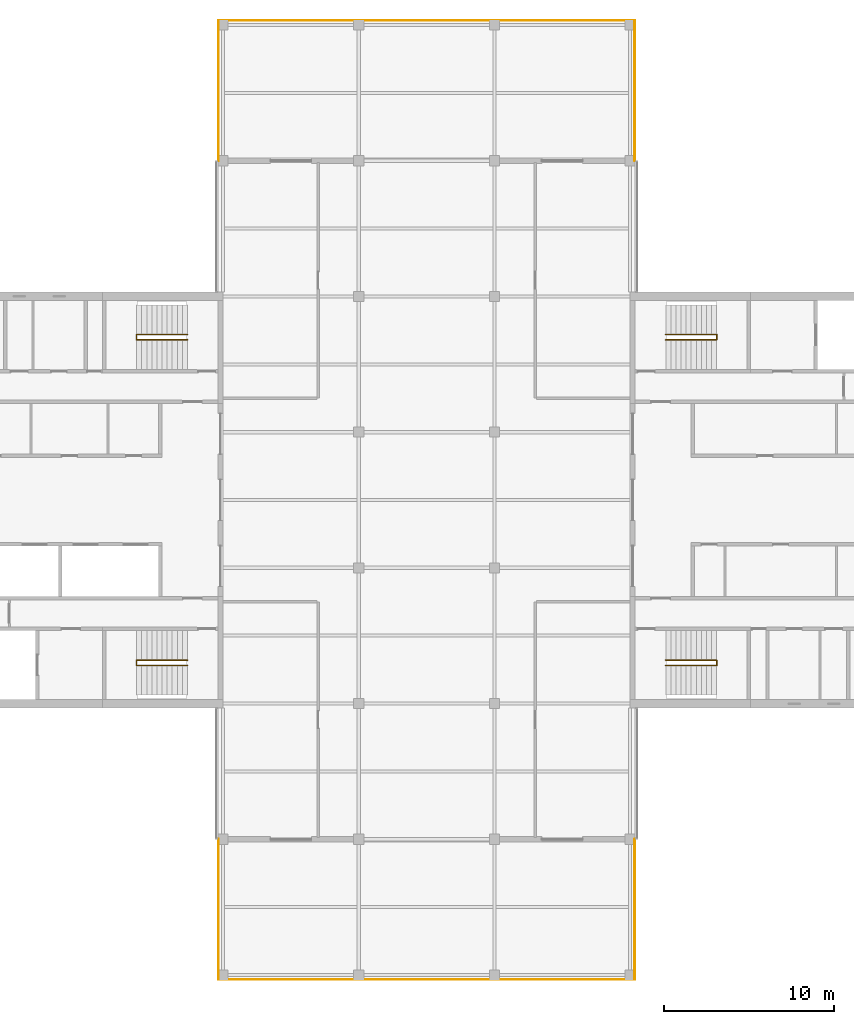
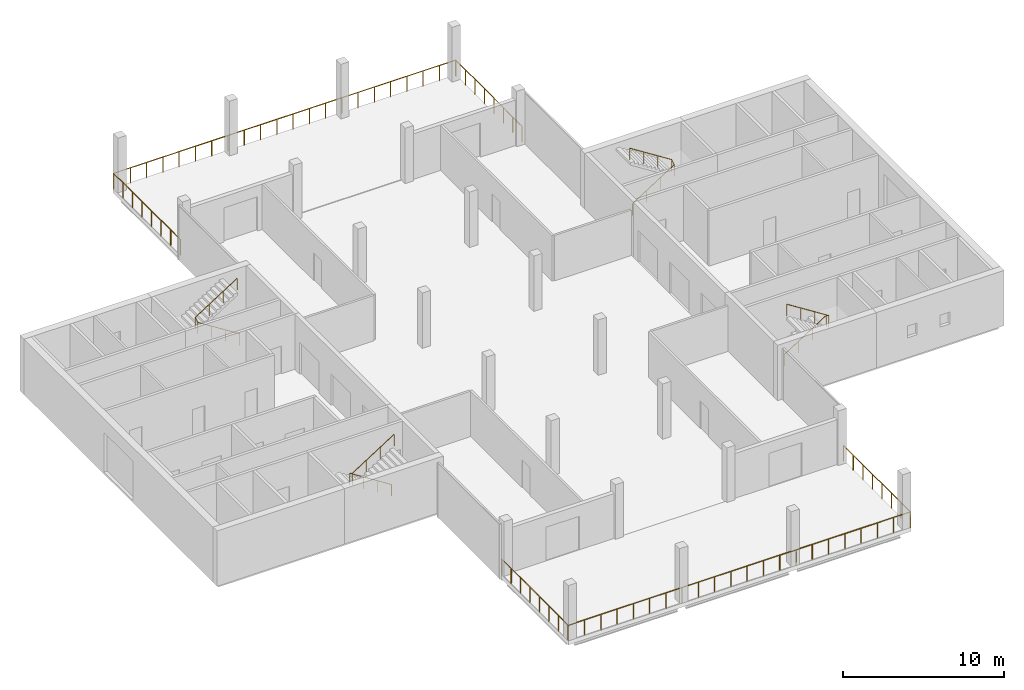
# One storey, part 12 of 12: 10 railings.
"""IFC4 building model written with IfcOpenShell, lengths in metres."""

from ifc_helpers import new_model, si_unit, direction, frame, origin, origin_2d, place, context, subcontext, project, spatial, circle, extrude, material, type_object, element, save


model = new_model("IFC4")

# Units and contexts
model_context = context("Model", 3, precision=1e-05, world=origin(), true_north=direction((0.0, 1.0)))
body_context = subcontext(model_context, "Body", "Model", "MODEL_VIEW")
ifc_project = project(units=[si_unit("LENGTHUNIT", "METRE"), si_unit("AREAUNIT", "SQUARE_METRE"), si_unit("VOLUMEUNIT", "CUBIC_METRE"), si_unit("PLANEANGLEUNIT", "RADIAN"), si_unit("MASSUNIT", "GRAM", prefix="KILO")], contexts=[model_context])

# Site, building, storey
site_placement = place(None, origin())
site = spatial("IfcSite", under=ifc_project, at=site_placement, CompositionType="ELEMENT")
building_placement = place(site_placement, origin())
building = spatial("IfcBuilding", under=site, at=building_placement, Name="Crosswind Convention Tower", CompositionType="ELEMENT")
storey_placement = place(building_placement, frame((0.0, 0.0, 323.89990234375)))
storey = spatial("IfcBuildingStorey", under=building, at=storey_placement, Name="L70", CompositionType="ELEMENT", Elevation=323.89990234375)

# Railings
ifc_material_1 = material(Name="Stainless steel", Category="steel")
railing_type_1 = type_object("IfcRailingType", Name="Stair handrail 900", PredefinedType="HANDRAIL", material=ifc_material_1)
railing_1_placement = place(storey_placement, frame((139.10009765625, 109.43994140625, 0.19091796875)))
element("IfcRailing", 1, at=railing_1_placement, inside=storey, type_object=railing_type_1, Name="Stair ST1 handrail L70", PredefinedType="HANDRAIL", context=body_context, shape_type="SweptSolid", body=[
    extrude(circle(Radius=0.02392578125, at=origin_2d()), frame((0.0, 0.0, 0.8759765625), z_axis=(0.843650179428, 0.0, 0.536893261973), x_axis=(0.0, 1.0, 0.0)), (0.0, 0.0, 1.0), 3.555908203125),
    extrude(circle(Radius=0.02392578125, at=origin_2d()), frame((3.0, 0.0, 2.78515625), z_axis=(0.0, 0.858819504967, 0.512278301208), x_axis=(-1.0, 0.0, 0.0)), (0.0, 0.0, 1.0), 0.372802734375),
    extrude(circle(Radius=0.02392578125, at=origin_2d()), frame((3.0, 0.320068359375, 2.97607421875), z_axis=(-0.843650179428, 0.0, 0.536893261973), x_axis=(0.0, -1.0, 0.0)), (0.0, 0.0, 1.0), 3.555908203125),
    extrude(circle(Radius=0.02099609375, at=origin_2d()), origin(), (0.0, 0.0, 1.0), 0.851806640625),
    extrude(circle(Radius=0.02099609375, at=origin_2d()), frame((1.0, 0.0, 0.636474609375)), (0.0, 0.0, 1.0), 0.851806640625),
    extrude(circle(Radius=0.02099609375, at=origin_2d()), frame((2.0, 0.0, 1.272705078125)), (0.0, 0.0, 1.0), 0.851806640625),
    extrude(circle(Radius=0.02099609375, at=origin_2d()), frame((3.0, 0.0, 1.9091796875)), (0.0, 0.0, 1.0), 0.851806640625),
    extrude(circle(Radius=0.02099609375, at=origin_2d()), frame((3.0, 0.320068359375, 2.10009765625)), (0.0, 0.0, 1.0), 0.851806640625),
    extrude(circle(Radius=0.02099609375, at=origin_2d()), frame((2.0, 0.320068359375, 2.736572265625)), (0.0, 0.0, 1.0), 0.851806640625),
    extrude(circle(Radius=0.02099609375, at=origin_2d()), frame((1.0, 0.320068359375, 3.372802734375)), (0.0, 0.0, 1.0), 0.851806640625),
    extrude(circle(Radius=0.02099609375, at=origin_2d()), frame((0.0, 0.320068359375, 4.00927734375)), (0.0, 0.0, 1.0), 0.851806640625),
])
railing_2_placement = place(storey_placement, frame((139.10009765625, 90.56005859375, 0.19091796875)))
element("IfcRailing", 2, at=railing_2_placement, inside=storey, type_object=railing_type_1, Name="Stair ST2 handrail L70", PredefinedType="HANDRAIL", context=body_context, shape_type="SweptSolid", body=[
    extrude(circle(Radius=0.02392578125, at=origin_2d()), frame((0.0, 0.0, 0.8759765625), z_axis=(0.843650179428, 0.0, 0.536893261973), x_axis=(0.0, 1.0, 0.0)), (0.0, 0.0, 1.0), 3.555908203125),
    extrude(circle(Radius=0.02392578125, at=origin_2d()), frame((3.0, 0.0, 2.78515625), z_axis=(0.0, -0.858819504967, 0.512278301208), x_axis=(1.0, 0.0, 0.0)), (0.0, 0.0, 1.0), 0.372802734375),
    extrude(circle(Radius=0.02392578125, at=origin_2d()), frame((3.0, -0.320068359375, 2.97607421875), z_axis=(-0.843650179428, 0.0, 0.536893261973), x_axis=(0.0, -1.0, 0.0)), (0.0, 0.0, 1.0), 3.555908203125),
    extrude(circle(Radius=0.02099609375, at=origin_2d()), origin(), (0.0, 0.0, 1.0), 0.851806640625),
    extrude(circle(Radius=0.02099609375, at=origin_2d()), frame((1.0, 0.0, 0.636474609375)), (0.0, 0.0, 1.0), 0.851806640625),
    extrude(circle(Radius=0.02099609375, at=origin_2d()), frame((2.0, 0.0, 1.272705078125)), (0.0, 0.0, 1.0), 0.851806640625),
    extrude(circle(Radius=0.02099609375, at=origin_2d()), frame((3.0, 0.0, 1.9091796875)), (0.0, 0.0, 1.0), 0.851806640625),
    extrude(circle(Radius=0.02099609375, at=origin_2d()), frame((3.0, -0.320068359375, 2.10009765625)), (0.0, 0.0, 1.0), 0.851806640625),
    extrude(circle(Radius=0.02099609375, at=origin_2d()), frame((2.0, -0.320068359375, 2.736572265625)), (0.0, 0.0, 1.0), 0.851806640625),
    extrude(circle(Radius=0.02099609375, at=origin_2d()), frame((1.0, -0.320068359375, 3.372802734375)), (0.0, 0.0, 1.0), 0.851806640625),
    extrude(circle(Radius=0.02099609375, at=origin_2d()), frame((0.0, -0.320068359375, 4.00927734375)), (0.0, 0.0, 1.0), 0.851806640625),
])
railing_3_placement = place(storey_placement, frame((110.89990234375, 90.56005859375, 0.19091796875)))
element("IfcRailing", 3, at=railing_3_placement, inside=storey, type_object=railing_type_1, Name="Stair ST3 handrail L70", PredefinedType="HANDRAIL", context=body_context, shape_type="SweptSolid", body=[
    extrude(circle(Radius=0.02392578125, at=origin_2d()), frame((0.0, 0.0, 0.8759765625), z_axis=(-0.843650179428, 0.0, 0.536893261973), x_axis=(0.0, -1.0, 0.0)), (0.0, 0.0, 1.0), 3.555908203125),
    extrude(circle(Radius=0.02392578125, at=origin_2d()), frame((-3.0, 0.0, 2.78515625), z_axis=(0.0, -0.858819504967, 0.512278301208), x_axis=(1.0, 0.0, 0.0)), (0.0, 0.0, 1.0), 0.372802734375),
    extrude(circle(Radius=0.02392578125, at=origin_2d()), frame((-3.0, -0.320068359375, 2.97607421875), z_axis=(0.843650179428, 0.0, 0.536893261973), x_axis=(0.0, 1.0, 0.0)), (0.0, 0.0, 1.0), 3.555908203125),
    extrude(circle(Radius=0.02099609375, at=origin_2d()), origin(), (0.0, 0.0, 1.0), 0.851806640625),
    extrude(circle(Radius=0.02099609375, at=origin_2d()), frame((-1.0, 0.0, 0.636474609375)), (0.0, 0.0, 1.0), 0.851806640625),
    extrude(circle(Radius=0.02099609375, at=origin_2d()), frame((-2.0, 0.0, 1.272705078125)), (0.0, 0.0, 1.0), 0.851806640625),
    extrude(circle(Radius=0.02099609375, at=origin_2d()), frame((-3.0, 0.0, 1.9091796875)), (0.0, 0.0, 1.0), 0.851806640625),
    extrude(circle(Radius=0.02099609375, at=origin_2d()), frame((-3.0, -0.320068359375, 2.10009765625)), (0.0, 0.0, 1.0), 0.851806640625),
    extrude(circle(Radius=0.02099609375, at=origin_2d()), frame((-2.0, -0.320068359375, 2.736572265625)), (0.0, 0.0, 1.0), 0.851806640625),
    extrude(circle(Radius=0.02099609375, at=origin_2d()), frame((-1.0, -0.320068359375, 3.372802734375)), (0.0, 0.0, 1.0), 0.851806640625),
    extrude(circle(Radius=0.02099609375, at=origin_2d()), frame((0.0, -0.320068359375, 4.00927734375)), (0.0, 0.0, 1.0), 0.851806640625),
])
railing_4_placement = place(storey_placement, frame((110.89990234375, 109.43994140625, 0.19091796875)))
element("IfcRailing", 4, at=railing_4_placement, inside=storey, type_object=railing_type_1, Name="Stair ST4 handrail L70", PredefinedType="HANDRAIL", context=body_context, shape_type="SweptSolid", body=[
    extrude(circle(Radius=0.02392578125, at=origin_2d()), frame((0.0, 0.0, 0.8759765625), z_axis=(-0.843650179428, 0.0, 0.536893261973), x_axis=(0.0, -1.0, 0.0)), (0.0, 0.0, 1.0), 3.555908203125),
    extrude(circle(Radius=0.02392578125, at=origin_2d()), frame((-3.0, 0.0, 2.78515625), z_axis=(0.0, 0.858819504967, 0.512278301208), x_axis=(-1.0, 0.0, 0.0)), (0.0, 0.0, 1.0), 0.372802734375),
    extrude(circle(Radius=0.02392578125, at=origin_2d()), frame((-3.0, 0.320068359375, 2.97607421875), z_axis=(0.843650179428, 0.0, 0.536893261973), x_axis=(0.0, 1.0, 0.0)), (0.0, 0.0, 1.0), 3.555908203125),
    extrude(circle(Radius=0.02099609375, at=origin_2d()), origin(), (0.0, 0.0, 1.0), 0.851806640625),
    extrude(circle(Radius=0.02099609375, at=origin_2d()), frame((-1.0, 0.0, 0.636474609375)), (0.0, 0.0, 1.0), 0.851806640625),
    extrude(circle(Radius=0.02099609375, at=origin_2d()), frame((-2.0, 0.0, 1.272705078125)), (0.0, 0.0, 1.0), 0.851806640625),
    extrude(circle(Radius=0.02099609375, at=origin_2d()), frame((-3.0, 0.0, 1.9091796875)), (0.0, 0.0, 1.0), 0.851806640625),
    extrude(circle(Radius=0.02099609375, at=origin_2d()), frame((-3.0, 0.320068359375, 2.10009765625)), (0.0, 0.0, 1.0), 0.851806640625),
    extrude(circle(Radius=0.02099609375, at=origin_2d()), frame((-2.0, 0.320068359375, 2.736572265625)), (0.0, 0.0, 1.0), 0.851806640625),
    extrude(circle(Radius=0.02099609375, at=origin_2d()), frame((-1.0, 0.320068359375, 3.372802734375)), (0.0, 0.0, 1.0), 0.851806640625),
    extrude(circle(Radius=0.02099609375, at=origin_2d()), frame((0.0, 0.320068359375, 4.00927734375)), (0.0, 0.0, 1.0), 0.851806640625),
])
ifc_material_2 = material(Name="Stainless steel guard", Category="steel")
railing_type_2 = type_object("IfcRailingType", Name="WIND FLOOR GUARD 1200", PredefinedType="GUARDRAIL", material=ifc_material_2)
railing_5_placement = place(storey_placement, frame((112.72509765625, 119.989990234375, 0.0)))
element("IfcRailing", 5, at=railing_5_placement, inside=storey, type_object=railing_type_2, Name="R12 guard L70 1", PredefinedType="GUARDRAIL", context=body_context, shape_type="SweptSolid", body=[
    extrude(circle(Radius=0.01904296875, at=origin_2d()), frame((0.0, 0.0, 1.180908203125), z_axis=(0.0, 1.0, 0.0), x_axis=(-1.0, 0.0, 0.0)), (0.0, 0.0, 1.0), 8.284912109375),
    extrude(circle(Radius=0.01611328125, at=origin_2d()), origin(), (0.0, 0.0, 1.0), 1.161865234375),
    extrude(circle(Radius=0.01611328125, at=origin_2d()), frame((0.0, 1.18359375, 0.0)), (0.0, 0.0, 1.0), 1.161865234375),
    extrude(circle(Radius=0.01611328125, at=origin_2d()), frame((0.0, 2.3671875, 0.0)), (0.0, 0.0, 1.0), 1.161865234375),
    extrude(circle(Radius=0.01611328125, at=origin_2d()), frame((0.0, 3.55078125, 0.0)), (0.0, 0.0, 1.0), 1.161865234375),
    extrude(circle(Radius=0.01611328125, at=origin_2d()), frame((0.0, 4.734130859375, 0.0)), (0.0, 0.0, 1.0), 1.161865234375),
    extrude(circle(Radius=0.01611328125, at=origin_2d()), frame((0.0, 5.917724609375, 0.0)), (0.0, 0.0, 1.0), 1.161865234375),
    extrude(circle(Radius=0.01611328125, at=origin_2d()), frame((0.0, 7.101318359375, 0.0)), (0.0, 0.0, 1.0), 1.161865234375),
    extrude(circle(Radius=0.01611328125, at=origin_2d()), frame((0.0, 8.284912109375, 0.0)), (0.0, 0.0, 1.0), 1.161865234375),
])
railing_6_placement = place(storey_placement, frame((112.764892578125, 128.27490234375, 0.0)))
element("IfcRailing", 6, at=railing_6_placement, inside=storey, type_object=railing_type_2, Name="R12 guard L70 2", PredefinedType="GUARDRAIL", context=body_context, shape_type="SweptSolid", body=[
    extrude(circle(Radius=0.01904296875, at=origin_2d()), frame((0.0, 0.0, 1.180908203125), z_axis=(1.0, 0.0, 0.0), x_axis=(0.0, 1.0, 0.0)), (0.0, 0.0, 1.0), 24.510009765625),
    extrude(circle(Radius=0.01611328125, at=origin_2d()), origin(), (0.0, 0.0, 1.0), 1.161865234375),
    extrude(circle(Radius=0.01611328125, at=origin_2d()), frame((1.167236328125, 0.0, 0.0)), (0.0, 0.0, 1.0), 1.161865234375),
    extrude(circle(Radius=0.01611328125, at=origin_2d()), frame((2.334228515625, 0.0, 0.0)), (0.0, 0.0, 1.0), 1.161865234375),
    extrude(circle(Radius=0.01611328125, at=origin_2d()), frame((3.50146484375, 0.0, 0.0)), (0.0, 0.0, 1.0), 1.161865234375),
    extrude(circle(Radius=0.01611328125, at=origin_2d()), frame((4.66845703125, 0.0, 0.0)), (0.0, 0.0, 1.0), 1.161865234375),
    extrude(circle(Radius=0.01611328125, at=origin_2d()), frame((5.835693359375, 0.0, 0.0)), (0.0, 0.0, 1.0), 1.161865234375),
    extrude(circle(Radius=0.01611328125, at=origin_2d()), frame((7.0029296875, 0.0, 0.0)), (0.0, 0.0, 1.0), 1.161865234375),
    extrude(circle(Radius=0.01611328125, at=origin_2d()), frame((8.169921875, 0.0, 0.0)), (0.0, 0.0, 1.0), 1.161865234375),
    extrude(circle(Radius=0.01611328125, at=origin_2d()), frame((9.337158203125, 0.0, 0.0)), (0.0, 0.0, 1.0), 1.161865234375),
    extrude(circle(Radius=0.01611328125, at=origin_2d()), frame((10.50439453125, 0.0, 0.0)), (0.0, 0.0, 1.0), 1.161865234375),
    extrude(circle(Radius=0.01611328125, at=origin_2d()), frame((11.67138671875, 0.0, 0.0)), (0.0, 0.0, 1.0), 1.161865234375),
    extrude(circle(Radius=0.01611328125, at=origin_2d()), frame((12.838623046875, 0.0, 0.0)), (0.0, 0.0, 1.0), 1.161865234375),
    extrude(circle(Radius=0.01611328125, at=origin_2d()), frame((14.005615234375, 0.0, 0.0)), (0.0, 0.0, 1.0), 1.161865234375),
    extrude(circle(Radius=0.01611328125, at=origin_2d()), frame((15.1728515625, 0.0, 0.0)), (0.0, 0.0, 1.0), 1.161865234375),
    extrude(circle(Radius=0.01611328125, at=origin_2d()), frame((16.340087890625, 0.0, 0.0)), (0.0, 0.0, 1.0), 1.161865234375),
    extrude(circle(Radius=0.01611328125, at=origin_2d()), frame((17.507080078125, 0.0, 0.0)), (0.0, 0.0, 1.0), 1.161865234375),
    extrude(circle(Radius=0.01611328125, at=origin_2d()), frame((18.67431640625, 0.0, 0.0)), (0.0, 0.0, 1.0), 1.161865234375),
    extrude(circle(Radius=0.01611328125, at=origin_2d()), frame((19.841552734375, 0.0, 0.0)), (0.0, 0.0, 1.0), 1.161865234375),
    extrude(circle(Radius=0.01611328125, at=origin_2d()), frame((21.008544921875, 0.0, 0.0)), (0.0, 0.0, 1.0), 1.161865234375),
    extrude(circle(Radius=0.01611328125, at=origin_2d()), frame((22.17578125, 0.0, 0.0)), (0.0, 0.0, 1.0), 1.161865234375),
    extrude(circle(Radius=0.01611328125, at=origin_2d()), frame((23.3427734375, 0.0, 0.0)), (0.0, 0.0, 1.0), 1.161865234375),
    extrude(circle(Radius=0.01611328125, at=origin_2d()), frame((24.510009765625, 0.0, 0.0)), (0.0, 0.0, 1.0), 1.161865234375),
])
railing_7_placement = place(storey_placement, frame((137.27490234375, 128.235107421875, 0.0)))
element("IfcRailing", 7, at=railing_7_placement, inside=storey, type_object=railing_type_2, Name="R12 guard L70 3", PredefinedType="GUARDRAIL", context=body_context, shape_type="SweptSolid", body=[
    extrude(circle(Radius=0.01904296875, at=origin_2d()), frame((0.0, 0.0, 1.180908203125), z_axis=(0.0, -1.0, 0.0), x_axis=(1.0, 0.0, 0.0)), (0.0, 0.0, 1.0), 8.2451171875),
    extrude(circle(Radius=0.01611328125, at=origin_2d()), origin(), (0.0, 0.0, 1.0), 1.161865234375),
    extrude(circle(Radius=0.01611328125, at=origin_2d()), frame((0.0, -1.177978515625, 0.0)), (0.0, 0.0, 1.0), 1.161865234375),
    extrude(circle(Radius=0.01611328125, at=origin_2d()), frame((0.0, -2.355712890625, 0.0)), (0.0, 0.0, 1.0), 1.161865234375),
    extrude(circle(Radius=0.01611328125, at=origin_2d()), frame((0.0, -3.53369140625, 0.0)), (0.0, 0.0, 1.0), 1.161865234375),
    extrude(circle(Radius=0.01611328125, at=origin_2d()), frame((0.0, -4.71142578125, 0.0)), (0.0, 0.0, 1.0), 1.161865234375),
    extrude(circle(Radius=0.01611328125, at=origin_2d()), frame((0.0, -5.889404296875, 0.0)), (0.0, 0.0, 1.0), 1.161865234375),
    extrude(circle(Radius=0.01611328125, at=origin_2d()), frame((0.0, -7.067138671875, 0.0)), (0.0, 0.0, 1.0), 1.161865234375),
    extrude(circle(Radius=0.01611328125, at=origin_2d()), frame((0.0, -8.2451171875, 0.0)), (0.0, 0.0, 1.0), 1.161865234375),
])
railing_8_placement = place(storey_placement, frame((137.27490234375, 80.010009765625, 0.0)))
element("IfcRailing", 8, at=railing_8_placement, inside=storey, type_object=railing_type_2, Name="R12 guard L70 4", PredefinedType="GUARDRAIL", context=body_context, shape_type="SweptSolid", body=[
    extrude(circle(Radius=0.01904296875, at=origin_2d()), frame((0.0, 0.0, 1.180908203125), z_axis=(0.0, -1.0, 0.0), x_axis=(1.0, 0.0, 0.0)), (0.0, 0.0, 1.0), 8.284912109375),
    extrude(circle(Radius=0.01611328125, at=origin_2d()), origin(), (0.0, 0.0, 1.0), 1.161865234375),
    extrude(circle(Radius=0.01611328125, at=origin_2d()), frame((0.0, -1.18359375, 0.0)), (0.0, 0.0, 1.0), 1.161865234375),
    extrude(circle(Radius=0.01611328125, at=origin_2d()), frame((0.0, -2.3671875, 0.0)), (0.0, 0.0, 1.0), 1.161865234375),
    extrude(circle(Radius=0.01611328125, at=origin_2d()), frame((0.0, -3.55078125, 0.0)), (0.0, 0.0, 1.0), 1.161865234375),
    extrude(circle(Radius=0.01611328125, at=origin_2d()), frame((0.0, -4.734130859375, 0.0)), (0.0, 0.0, 1.0), 1.161865234375),
    extrude(circle(Radius=0.01611328125, at=origin_2d()), frame((0.0, -5.917724609375, 0.0)), (0.0, 0.0, 1.0), 1.161865234375),
    extrude(circle(Radius=0.01611328125, at=origin_2d()), frame((0.0, -7.101318359375, 0.0)), (0.0, 0.0, 1.0), 1.161865234375),
    extrude(circle(Radius=0.01611328125, at=origin_2d()), frame((0.0, -8.284912109375, 0.0)), (0.0, 0.0, 1.0), 1.161865234375),
])
railing_9_placement = place(storey_placement, frame((137.235107421875, 71.72509765625, 0.0)))
element("IfcRailing", 9, at=railing_9_placement, inside=storey, type_object=railing_type_2, Name="R12 guard L70 5", PredefinedType="GUARDRAIL", context=body_context, shape_type="SweptSolid", body=[
    extrude(circle(Radius=0.01904296875, at=origin_2d()), frame((0.0, 0.0, 1.180908203125), z_axis=(-1.0, 0.0, 0.0), x_axis=(0.0, -1.0, 0.0)), (0.0, 0.0, 1.0), 24.510009765625),
    extrude(circle(Radius=0.01611328125, at=origin_2d()), origin(), (0.0, 0.0, 1.0), 1.161865234375),
    extrude(circle(Radius=0.01611328125, at=origin_2d()), frame((-1.167236328125, 0.0, 0.0)), (0.0, 0.0, 1.0), 1.161865234375),
    extrude(circle(Radius=0.01611328125, at=origin_2d()), frame((-2.334228515625, 0.0, 0.0)), (0.0, 0.0, 1.0), 1.161865234375),
    extrude(circle(Radius=0.01611328125, at=origin_2d()), frame((-3.50146484375, 0.0, 0.0)), (0.0, 0.0, 1.0), 1.161865234375),
    extrude(circle(Radius=0.01611328125, at=origin_2d()), frame((-4.66845703125, 0.0, 0.0)), (0.0, 0.0, 1.0), 1.161865234375),
    extrude(circle(Radius=0.01611328125, at=origin_2d()), frame((-5.835693359375, 0.0, 0.0)), (0.0, 0.0, 1.0), 1.161865234375),
    extrude(circle(Radius=0.01611328125, at=origin_2d()), frame((-7.0029296875, 0.0, 0.0)), (0.0, 0.0, 1.0), 1.161865234375),
    extrude(circle(Radius=0.01611328125, at=origin_2d()), frame((-8.169921875, 0.0, 0.0)), (0.0, 0.0, 1.0), 1.161865234375),
    extrude(circle(Radius=0.01611328125, at=origin_2d()), frame((-9.337158203125, 0.0, 0.0)), (0.0, 0.0, 1.0), 1.161865234375),
    extrude(circle(Radius=0.01611328125, at=origin_2d()), frame((-10.50439453125, 0.0, 0.0)), (0.0, 0.0, 1.0), 1.161865234375),
    extrude(circle(Radius=0.01611328125, at=origin_2d()), frame((-11.67138671875, 0.0, 0.0)), (0.0, 0.0, 1.0), 1.161865234375),
    extrude(circle(Radius=0.01611328125, at=origin_2d()), frame((-12.838623046875, 0.0, 0.0)), (0.0, 0.0, 1.0), 1.161865234375),
    extrude(circle(Radius=0.01611328125, at=origin_2d()), frame((-14.005615234375, 0.0, 0.0)), (0.0, 0.0, 1.0), 1.161865234375),
    extrude(circle(Radius=0.01611328125, at=origin_2d()), frame((-15.1728515625, 0.0, 0.0)), (0.0, 0.0, 1.0), 1.161865234375),
    extrude(circle(Radius=0.01611328125, at=origin_2d()), frame((-16.340087890625, 0.0, 0.0)), (0.0, 0.0, 1.0), 1.161865234375),
    extrude(circle(Radius=0.01611328125, at=origin_2d()), frame((-17.507080078125, 0.0, 0.0)), (0.0, 0.0, 1.0), 1.161865234375),
    extrude(circle(Radius=0.01611328125, at=origin_2d()), frame((-18.67431640625, 0.0, 0.0)), (0.0, 0.0, 1.0), 1.161865234375),
    extrude(circle(Radius=0.01611328125, at=origin_2d()), frame((-19.841552734375, 0.0, 0.0)), (0.0, 0.0, 1.0), 1.161865234375),
    extrude(circle(Radius=0.01611328125, at=origin_2d()), frame((-21.008544921875, 0.0, 0.0)), (0.0, 0.0, 1.0), 1.161865234375),
    extrude(circle(Radius=0.01611328125, at=origin_2d()), frame((-22.17578125, 0.0, 0.0)), (0.0, 0.0, 1.0), 1.161865234375),
    extrude(circle(Radius=0.01611328125, at=origin_2d()), frame((-23.3427734375, 0.0, 0.0)), (0.0, 0.0, 1.0), 1.161865234375),
    extrude(circle(Radius=0.01611328125, at=origin_2d()), frame((-24.510009765625, 0.0, 0.0)), (0.0, 0.0, 1.0), 1.161865234375),
])
railing_10_placement = place(storey_placement, frame((112.72509765625, 71.764892578125, 0.0)))
element("IfcRailing", 10, at=railing_10_placement, inside=storey, type_object=railing_type_2, Name="R12 guard L70 6", PredefinedType="GUARDRAIL", context=body_context, shape_type="SweptSolid", body=[
    extrude(circle(Radius=0.01904296875, at=origin_2d()), frame((0.0, 0.0, 1.180908203125), z_axis=(0.0, 1.0, 0.0), x_axis=(-1.0, 0.0, 0.0)), (0.0, 0.0, 1.0), 8.2451171875),
    extrude(circle(Radius=0.01611328125, at=origin_2d()), origin(), (0.0, 0.0, 1.0), 1.161865234375),
    extrude(circle(Radius=0.01611328125, at=origin_2d()), frame((0.0, 1.177978515625, 0.0)), (0.0, 0.0, 1.0), 1.161865234375),
    extrude(circle(Radius=0.01611328125, at=origin_2d()), frame((0.0, 2.355712890625, 0.0)), (0.0, 0.0, 1.0), 1.161865234375),
    extrude(circle(Radius=0.01611328125, at=origin_2d()), frame((0.0, 3.53369140625, 0.0)), (0.0, 0.0, 1.0), 1.161865234375),
    extrude(circle(Radius=0.01611328125, at=origin_2d()), frame((0.0, 4.71142578125, 0.0)), (0.0, 0.0, 1.0), 1.161865234375),
    extrude(circle(Radius=0.01611328125, at=origin_2d()), frame((0.0, 5.889404296875, 0.0)), (0.0, 0.0, 1.0), 1.161865234375),
    extrude(circle(Radius=0.01611328125, at=origin_2d()), frame((0.0, 7.067138671875, 0.0)), (0.0, 0.0, 1.0), 1.161865234375),
    extrude(circle(Radius=0.01611328125, at=origin_2d()), frame((0.0, 8.2451171875, 0.0)), (0.0, 0.0, 1.0), 1.161865234375),
])

save(model, "model.ifc")
